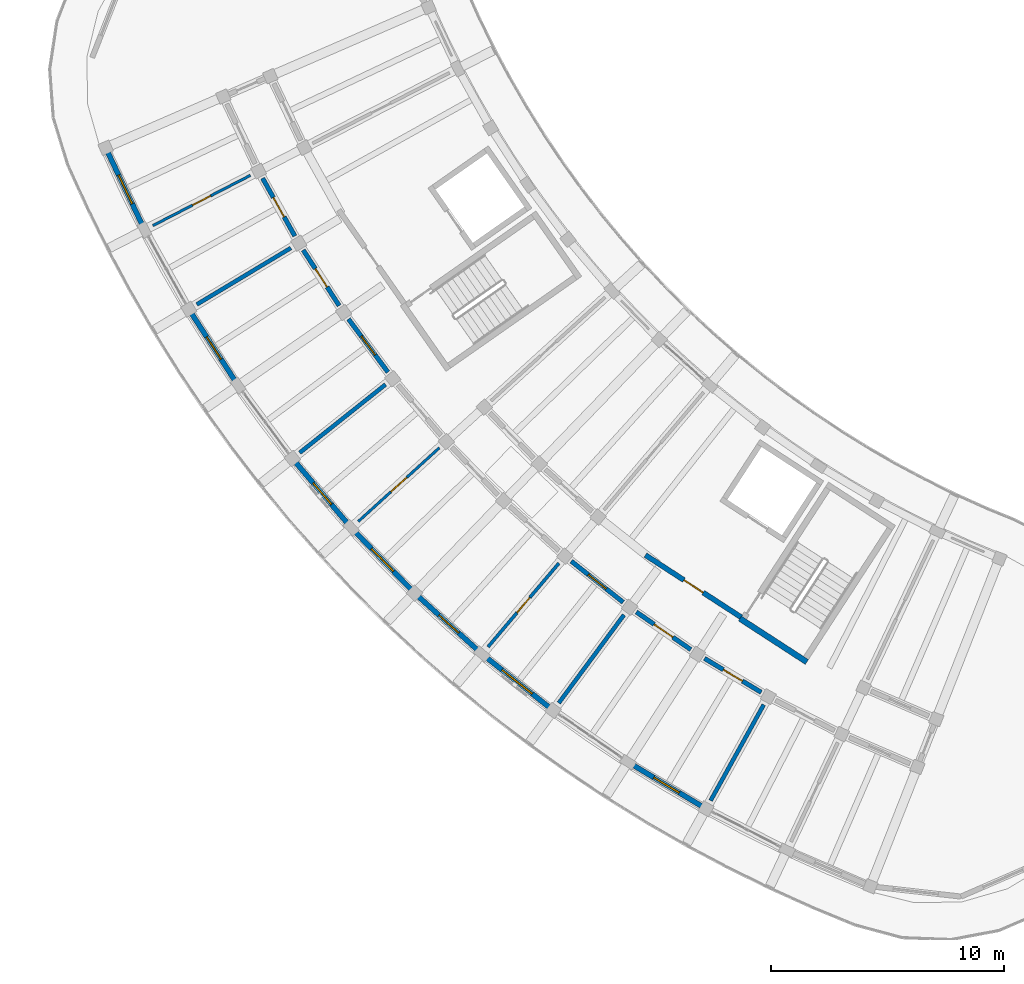
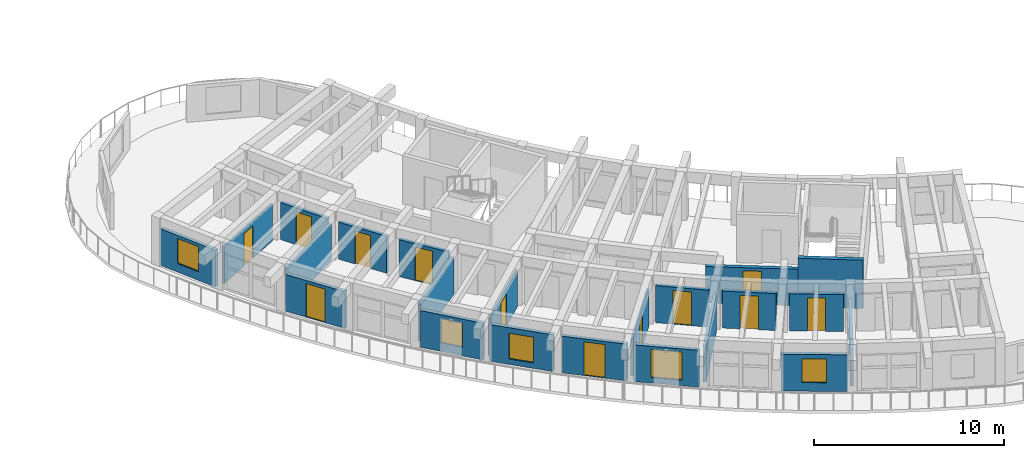
# One storey, part 33 of 62: 22 walls, 12 doors, 5 windows, 17 openings.
"""IFC4 building model written with IfcOpenShell, lengths in metres."""

from ifc_helpers import new_model, si_unit, direction, frame, frame_2d, origin, place, context, subcontext, project, spatial, rectangle, extrude, material, layer, layer_set, type_object, element, fill, save


model = new_model("IFC4")

# Units and contexts
model_context = context("Model", 3, precision=1e-05, world=origin(), true_north=direction((0.0, 1.0)))
body_context = subcontext(model_context, "Body", "Model", "MODEL_VIEW")
ifc_project = project(units=[si_unit("LENGTHUNIT", "METRE"), si_unit("AREAUNIT", "SQUARE_METRE"), si_unit("VOLUMEUNIT", "CUBIC_METRE"), si_unit("PLANEANGLEUNIT", "RADIAN"), si_unit("MASSUNIT", "GRAM", prefix="KILO")], contexts=[model_context])

# Site, building, storey
site_placement = place(None, origin())
site = spatial("IfcSite", under=ifc_project, at=site_placement, CompositionType="ELEMENT")
building_placement = place(site_placement, origin())
building = spatial("IfcBuilding", under=site, at=building_placement, Name="Tanwirah Colonnade Gardens", CompositionType="ELEMENT")
storey_placement = place(building_placement, frame((0.0, 0.0, 32.360107421875)))
storey = spatial("IfcBuildingStorey", under=building, at=storey_placement, Name="L09", CompositionType="ELEMENT", Elevation=32.360107421875)

# Wall, opening, window
ifc_material_1 = material(Name="Limestone architectural precast concrete C40/50", Category="masonry")
ifc_layer_1 = layer(ifc_material_1, 0.219970703125)
ifc_layer_set_1 = layer_set([ifc_layer_1], Name="Limestone architectural precast concrete C40/50")
wall_type_1 = type_object("IfcWallType", Name="EW-PC220", PredefinedType="SOLIDWALL", material=ifc_layer_set_1)
wall_1_placement = place(storey_placement, frame((10.485595703125, 40.55126953125, 0.0), z_axis=(0.0, 0.0, 1.0), x_axis=(0.428487304129, -0.903547801835, 0.0)))
wall_1 = element("IfcWall", 1, at=wall_1_placement, inside=storey, type_object=wall_type_1, Name="Block C L09 OUT Precast Facade Wall 2", PredefinedType="SOLIDWALL", context=body_context, shape_type="SweptSolid", body=[
    extrude(rectangle(XDim=3.5068359375, YDim=0.219970703125, at=frame_2d((1.75341796875, 0.0))), origin(), (0.0, 0.0, 1.0), 2.35498046875),
])
opening_1_placement = place(wall_1_placement, frame((1.073486328125, 0.0, 0.550048828125)))
opening_1 = element("IfcOpeningElement", 2, at=opening_1_placement, cuts=wall_1, Name="Opening WIN-U06", PredefinedType="OPENING", context=body_context, shape_type="SweptSolid", body=[
    extrude(rectangle(XDim=1.360107421875, YDim=1.610107421875, at=frame_2d((0.68017578125, 0.80517578125))), frame((0.0, 0.119873046875, 0.0), z_axis=(0.0, -1.0, 0.0), x_axis=(1.0, 0.0, 0.0)), (0.0, 0.0, 1.0), 0.239990234375),
])
ifc_material_2 = material(Name="Thermally broken bronze aluminium and solar low-E double glazing", Category="aluminium")
window_type_1 = type_object("IfcWindowType", Name="WIN-U06", PartitioningType="DOUBLE_PANEL_VERTICAL", PredefinedType="WINDOW", material=ifc_material_2)
window_1_placement = place(opening_1_placement, origin())
window_1 = element("IfcWindow", 3, at=window_1_placement, inside=storey, type_object=window_type_1, Name="Facade window C-L09-OUT-02", OverallHeight=1.610107421875, OverallWidth=1.360107421875, PartitioningType="SINGLE_PANEL", PredefinedType="WINDOW", context=body_context, shape_type="SweptSolid", body=[
    extrude(rectangle(XDim=1.360107421875, YDim=1.610107421875, at=frame_2d((0.68017578125, 0.80517578125))), frame((0.0, 0.030029296875, 0.0), z_axis=(0.0, -1.0, 0.0), x_axis=(1.0, 0.0, 0.0)), (0.0, 0.0, 1.0), 0.06005859375),
])
fill(opening_1, window_1)

# Wall, opening, door
wall_2_placement = place(storey_placement, frame((14.077880859375, 33.640625, 0.0), z_axis=(0.0, 0.0, 1.0), x_axis=(0.542803784415, -0.839859542796, 0.0)))
wall_2 = element("IfcWall", 4, at=wall_2_placement, inside=storey, type_object=wall_type_1, Name="Block C L09 OUT Precast Facade Wall 4", PredefinedType="SOLIDWALL", context=body_context, shape_type="SweptSolid", body=[
    extrude(rectangle(XDim=3.5068359375, YDim=0.219970703125, at=frame_2d((1.75341796875, 0.0))), origin(), (0.0, 0.0, 1.0), 2.35498046875),
])
opening_2_placement = place(wall_2_placement, frame((1.183349609375, 0.0, 0.0)))
opening_2 = element("IfcOpeningElement", 5, at=opening_2_placement, cuts=wall_2, Name="Opening L09-ED168", PredefinedType="OPENING", context=body_context, shape_type="SweptSolid", body=[
    extrude(rectangle(XDim=1.139892578125, YDim=2.159912109375, at=frame_2d((0.56982421875, 1.080078125))), frame((0.0, 0.119873046875, 0.0), z_axis=(0.0, -1.0, 0.0), x_axis=(1.0, 0.0, 0.0)), (0.0, 0.0, 1.0), 0.239990234375),
])
ifc_material_3 = material(Name="Bronze aluminium glazed balcony door", Category="aluminium")
door_type_1 = type_object("IfcDoorType", Name="ED-BAL114", OperationType="NOTDEFINED", PredefinedType="DOOR", material=ifc_material_3)
door_1_placement = place(opening_2_placement, origin())
door_1 = element("IfcDoor", 6, at=door_1_placement, inside=storey, type_object=door_type_1, Name="Balcony glazed door L09-ED168", OperationType="SINGLE_SWING_RIGHT", OverallHeight=2.159912109375, OverallWidth=1.139892578125, PredefinedType="DOOR", context=body_context, shape_type="SweptSolid", body=[
    extrude(rectangle(XDim=1.139892578125, YDim=2.159912109375, at=frame_2d((0.56982421875, 1.080078125))), frame((0.0, 0.02490234375, 0.0), z_axis=(0.0, -1.0, 0.0), x_axis=(1.0, 0.0, 0.0)), (0.0, 0.0, 1.0), 0.050048828125),
])
fill(opening_2, door_1)

# Wall, opening, window
wall_3_placement = place(storey_placement, frame((18.54150390625, 27.2578125, 0.0), z_axis=(0.0, 0.0, 1.0), x_axis=(0.647787845689, -0.761820784028, 0.0)))
wall_3 = element("IfcWall", 7, at=wall_3_placement, inside=storey, type_object=wall_type_1, Name="Block C L09 OUT Precast Facade Wall 6", PredefinedType="SOLIDWALL", context=body_context, shape_type="SweptSolid", body=[
    extrude(rectangle(XDim=3.5068359375, YDim=0.219970703125, at=frame_2d((1.75341796875, 0.0))), origin(), (0.0, 0.0, 1.0), 2.35498046875),
])
opening_3_placement = place(wall_3_placement, frame((1.1533203125, 0.0, 0.550048828125)))
opening_3 = element("IfcOpeningElement", 8, at=opening_3_placement, cuts=wall_3, Name="Opening WIN-T02", PredefinedType="OPENING", context=body_context, shape_type="SweptSolid", body=[
    extrude(rectangle(XDim=1.199951171875, YDim=1.550048828125, at=frame_2d((0.60009765625, 0.77490234375))), frame((0.0, 0.119873046875, 0.0), z_axis=(0.0, -1.0, 0.0), x_axis=(1.0, 0.0, 0.0)), (0.0, 0.0, 1.0), 0.239990234375),
])
window_type_2 = type_object("IfcWindowType", Name="WIN-T02", PartitioningType="SINGLE_PANEL", PredefinedType="WINDOW", material=ifc_material_2)
window_2_placement = place(opening_3_placement, origin())
window_2 = element("IfcWindow", 9, at=window_2_placement, inside=storey, type_object=window_type_2, Name="Facade window C-L09-OUT-06", OverallHeight=1.550048828125, OverallWidth=1.199951171875, PartitioningType="SINGLE_PANEL", PredefinedType="WINDOW", context=body_context, shape_type="SweptSolid", body=[
    extrude(rectangle(XDim=1.199951171875, YDim=1.550048828125, at=frame_2d((0.60009765625, 0.77490234375))), frame((0.0, 0.030029296875, 0.0), z_axis=(0.0, -1.0, 0.0), x_axis=(1.0, 0.0, 0.0)), (0.0, 0.0, 1.0), 0.06005859375),
])
fill(opening_3, window_2)

wall_4_placement = place(storey_placement, frame((21.034912109375, 24.342041015625, 0.0), z_axis=(0.0, 0.0, 1.0), x_axis=(0.696232818878, -0.717816036263, 0.0)))
wall_4 = element("IfcWall", 10, at=wall_4_placement, inside=storey, type_object=wall_type_1, Name="Block C L09 OUT Precast Facade Wall 7", PredefinedType="SOLIDWALL", context=body_context, shape_type="SweptSolid", body=[
    extrude(rectangle(XDim=3.506591796875, YDim=0.219970703125, at=frame_2d((1.75341796875, 0.0))), origin(), (0.0, 0.0, 1.0), 2.35498046875),
])
opening_4_placement = place(wall_4_placement, frame((1.078369140625, 0.0, 0.35009765625)))
opening_4 = element("IfcOpeningElement", 11, at=opening_4_placement, cuts=wall_4, Name="Opening WIN-T05", PredefinedType="OPENING", context=body_context, shape_type="SweptSolid", body=[
    extrude(rectangle(XDim=1.35009765625, YDim=1.64990234375, at=frame_2d((0.675048828125, 0.824951171875))), frame((0.0, 0.119873046875, 0.0), z_axis=(0.0, -1.0, 0.0), x_axis=(1.0, 0.0, 0.0)), (0.0, 0.0, 1.0), 0.239990234375),
])
window_type_3 = type_object("IfcWindowType", Name="WIN-T05", PartitioningType="DOUBLE_PANEL_VERTICAL", PredefinedType="WINDOW", material=ifc_material_2)
window_3_placement = place(opening_4_placement, origin())
window_3 = element("IfcWindow", 12, at=window_3_placement, inside=storey, type_object=window_type_3, Name="Facade window C-L09-OUT-07", OverallHeight=1.64990234375, OverallWidth=1.35009765625, PartitioningType="SINGLE_PANEL", PredefinedType="WINDOW", context=body_context, shape_type="SweptSolid", body=[
    extrude(rectangle(XDim=1.35009765625, YDim=1.64990234375, at=frame_2d((0.675048828125, 0.824951171875))), frame((0.0, 0.030029296875, 0.0), z_axis=(0.0, -1.0, 0.0), x_axis=(1.0, 0.0, 0.0)), (0.0, 0.0, 1.0), 0.06005859375),
])
fill(opening_4, window_3)

# Wall, opening, door
wall_5_placement = place(storey_placement, frame((23.800048828125, 21.512451171875, 0.0), z_axis=(0.0, 0.0, 1.0), x_axis=(0.741654519649, -0.670782061093, 0.0)))
wall_5 = element("IfcWall", 13, at=wall_5_placement, inside=storey, type_object=wall_type_1, Name="Block C L09 OUT Precast Facade Wall 8", PredefinedType="SOLIDWALL", context=body_context, shape_type="SweptSolid", body=[
    extrude(rectangle(XDim=3.5068359375, YDim=0.219970703125, at=frame_2d((1.75341796875, 0.0))), origin(), (0.0, 0.0, 1.0), 2.35498046875),
])
opening_5_placement = place(wall_5_placement, frame((1.183349609375, 0.0, 0.0)))
opening_5 = element("IfcOpeningElement", 14, at=opening_5_placement, cuts=wall_5, Name="Opening L09-ED169", PredefinedType="OPENING", context=body_context, shape_type="SweptSolid", body=[
    extrude(rectangle(XDim=1.139892578125, YDim=2.159912109375, at=frame_2d((0.56982421875, 1.080078125))), frame((0.0, 0.119873046875, 0.0), z_axis=(0.0, -1.0, 0.0), x_axis=(1.0, 0.0, 0.0)), (0.0, 0.0, 1.0), 0.239990234375),
])
door_2_placement = place(opening_5_placement, origin())
door_2 = element("IfcDoor", 15, at=door_2_placement, inside=storey, type_object=door_type_1, Name="Balcony glazed door L09-ED169", OperationType="SINGLE_SWING_RIGHT", OverallHeight=2.159912109375, OverallWidth=1.139892578125, PredefinedType="DOOR", context=body_context, shape_type="SweptSolid", body=[
    extrude(rectangle(XDim=1.139892578125, YDim=2.159912109375, at=frame_2d((0.56982421875, 1.080078125))), frame((0.0, 0.02490234375, 0.0), z_axis=(0.0, -1.0, 0.0), x_axis=(1.0, 0.0, 0.0)), (0.0, 0.0, 1.0), 0.050048828125),
])
fill(opening_5, door_2)

# Wall, opening, window
wall_6_placement = place(storey_placement, frame((26.652587890625, 18.947021484375, 0.0), z_axis=(0.0, 0.0, 1.0), x_axis=(0.783976646649, -0.620790316861, 0.0)))
wall_6 = element("IfcWall", 16, at=wall_6_placement, inside=storey, type_object=wall_type_1, Name="Block C L09 OUT Precast Facade Wall 9", PredefinedType="SOLIDWALL", context=body_context, shape_type="SweptSolid", body=[
    extrude(rectangle(XDim=3.5068359375, YDim=0.219970703125, at=frame_2d((1.75341796875, 0.0))), origin(), (0.0, 0.0, 1.0), 2.35498046875),
])
opening_6_placement = place(wall_6_placement, frame((0.928466796875, 0.0, 0.35009765625)))
opening_6 = element("IfcOpeningElement", 17, at=opening_6_placement, cuts=wall_6, Name="Opening WIN-T11", PredefinedType="OPENING", context=body_context, shape_type="SweptSolid", body=[
    extrude(rectangle(XDim=1.64990234375, YDim=1.800048828125, at=frame_2d((0.824951171875, 0.89990234375))), frame((0.0, 0.119873046875, 0.0), z_axis=(0.0, -1.0, 0.0), x_axis=(1.0, 0.0, 0.0)), (0.0, 0.0, 1.0), 0.239990234375),
])
window_type_4 = type_object("IfcWindowType", Name="WIN-T11", PartitioningType="DOUBLE_PANEL_VERTICAL", PredefinedType="WINDOW", material=ifc_material_2)
window_4_placement = place(opening_6_placement, origin())
window_4 = element("IfcWindow", 18, at=window_4_placement, inside=storey, type_object=window_type_4, Name="Facade window C-L09-OUT-09", OverallHeight=1.800048828125, OverallWidth=1.64990234375, PartitioningType="SINGLE_PANEL", PredefinedType="WINDOW", context=body_context, shape_type="SweptSolid", body=[
    extrude(rectangle(XDim=1.64990234375, YDim=1.800048828125, at=frame_2d((0.824951171875, 0.89990234375))), frame((0.0, 0.030029296875, 0.0), z_axis=(0.0, -1.0, 0.0), x_axis=(1.0, 0.0, 0.0)), (0.0, 0.0, 1.0), 0.06005859375),
])
fill(opening_6, window_4)

wall_7_placement = place(storey_placement, frame((32.926513671875, 14.33154296875, 0.0), z_axis=(0.0, 0.0, 1.0), x_axis=(0.858272027283, -0.513195018666, 0.0)))
wall_7 = element("IfcWall", 19, at=wall_7_placement, inside=storey, type_object=wall_type_1, Name="Block C L09 OUT Precast Facade Wall 11", PredefinedType="SOLIDWALL", context=body_context, shape_type="SweptSolid", body=[
    extrude(rectangle(XDim=3.507080078125, YDim=0.219970703125, at=frame_2d((1.75341796875, 0.0))), origin(), (0.0, 0.0, 1.0), 2.35498046875),
])
opening_7_placement = place(wall_7_placement, frame((1.11328125, 0.0, 0.550048828125)))
opening_7 = element("IfcOpeningElement", 20, at=opening_7_placement, cuts=wall_7, Name="Opening WIN-T17", PredefinedType="OPENING", context=body_context, shape_type="SweptSolid", body=[
    extrude(rectangle(XDim=1.280029296875, YDim=1.52001953125, at=frame_2d((0.64013671875, 0.760009765625))), frame((0.0, 0.119873046875, 0.0), z_axis=(0.0, -1.0, 0.0), x_axis=(1.0, 0.0, 0.0)), (0.0, 0.0, 1.0), 0.239990234375),
])
window_type_5 = type_object("IfcWindowType", Name="WIN-T17", PartitioningType="SINGLE_PANEL", PredefinedType="WINDOW", material=ifc_material_2)
window_5_placement = place(opening_7_placement, origin())
window_5 = element("IfcWindow", 21, at=window_5_placement, inside=storey, type_object=window_type_5, Name="Facade window C-L09-OUT-11", OverallHeight=1.52001953125, OverallWidth=1.280029296875, PartitioningType="SINGLE_PANEL", PredefinedType="WINDOW", context=body_context, shape_type="SweptSolid", body=[
    extrude(rectangle(XDim=1.280029296875, YDim=1.52001953125, at=frame_2d((0.64013671875, 0.760009765625))), frame((0.0, 0.030029296875, 0.0), z_axis=(0.0, -1.0, 0.0), x_axis=(1.0, 0.0, 0.0)), (0.0, 0.0, 1.0), 0.06005859375),
])
fill(opening_7, window_5)

# Wall, opening, door
ifc_material_4 = material(Name="Precast concrete C40/50", Category="concrete")
ifc_layer_2 = layer(ifc_material_4, 0.195068359375)
ifc_layer_set_2 = layer_set([ifc_layer_2], Name="Precast concrete C40/50")
wall_type_2 = type_object("IfcWallType", Name="IW-CORR195", PredefinedType="PARTITIONING", material=ifc_layer_set_2)
wall_8_placement = place(storey_placement, frame((17.118896484375, 39.4462890625, 0.0), z_axis=(0.0, 0.0, 1.0), x_axis=(0.48673124079, -0.8735517725, 0.0)))
wall_8 = element("IfcWall", 22, at=wall_8_placement, inside=storey, type_object=wall_type_2, Name="Block C L09 OUT Corridor Wall 3", PredefinedType="PARTITIONING", context=body_context, shape_type="SweptSolid", body=[
    extrude(rectangle(XDim=2.8369140625, YDim=0.195068359375, at=frame_2d((1.41845703125, 0.0))), origin(), (0.0, 0.0, 1.0), 2.369873046875),
])
opening_8_placement = place(wall_8_placement, frame((0.943603515625, 0.0, 0.0)))
opening_8 = element("IfcOpeningElement", 23, at=opening_8_placement, cuts=wall_8, Name="Opening L09-AD1606", PredefinedType="OPENING", context=body_context, shape_type="SweptSolid", body=[
    extrude(rectangle(XDim=0.949951171875, YDim=2.1298828125, at=frame_2d((0.47509765625, 1.06494140625))), frame((0.0, 0.107421875, 0.0), z_axis=(0.0, -1.0, 0.0), x_axis=(1.0, 0.0, 0.0)), (0.0, 0.0, 1.0), 0.215087890625),
])
ifc_material_5 = material(Name="Solid oak fire-resisting apartment entrance door")
door_type_2 = type_object("IfcDoorType", Name="ID-FLT095", OperationType="NOTDEFINED", PredefinedType="DOOR", material=ifc_material_5)
door_3_placement = place(opening_8_placement, origin())
door_3 = element("IfcDoor", 24, at=door_3_placement, inside=storey, type_object=door_type_2, Name="Apartment corridor door L09-AD1606", OperationType="SINGLE_SWING_LEFT", OverallHeight=2.1298828125, OverallWidth=0.949951171875, PredefinedType="DOOR", context=body_context, shape_type="SweptSolid", body=[
    extrude(rectangle(XDim=0.949951171875, YDim=2.1298828125, at=frame_2d((0.47509765625, 1.06494140625))), frame((0.0, 0.02490234375, 0.0), z_axis=(0.0, -1.0, 0.0), x_axis=(1.0, 0.0, 0.0)), (0.0, 0.0, 1.0), 0.050048828125),
])
fill(opening_8, door_3)

wall_9_placement = place(storey_placement, frame((18.860107421875, 36.3681640625, 0.0), z_axis=(0.0, 0.0, 1.0), x_axis=(0.542787304957, -0.83987019329, 0.0)))
wall_9 = element("IfcWall", 25, at=wall_9_placement, inside=storey, type_object=wall_type_2, Name="Block C L09 OUT Corridor Wall 4", PredefinedType="PARTITIONING", context=body_context, shape_type="SweptSolid", body=[
    extrude(rectangle(XDim=2.8369140625, YDim=0.195068359375, at=frame_2d((1.41845703125, 0.0))), origin(), (0.0, 0.0, 1.0), 2.369873046875),
])
opening_9_placement = place(wall_9_placement, frame((0.95361328125, 0.0, 0.0)))
opening_9 = element("IfcOpeningElement", 26, at=opening_9_placement, cuts=wall_9, Name="Opening L09-AD1607", PredefinedType="OPENING", context=body_context, shape_type="SweptSolid", body=[
    extrude(rectangle(XDim=0.929931640625, YDim=2.1201171875, at=frame_2d((0.46484375, 1.06005859375))), frame((0.0, 0.107421875, 0.0), z_axis=(0.0, -1.0, 0.0), x_axis=(1.0, 0.0, 0.0)), (0.0, 0.0, 1.0), 0.215087890625),
])
door_type_3 = type_object("IfcDoorType", Name="ID-FLT093", OperationType="NOTDEFINED", PredefinedType="DOOR", material=ifc_material_5)
door_4_placement = place(opening_9_placement, origin())
door_4 = element("IfcDoor", 27, at=door_4_placement, inside=storey, type_object=door_type_3, Name="Apartment corridor door L09-AD1607", OperationType="SINGLE_SWING_RIGHT", OverallHeight=2.1201171875, OverallWidth=0.929931640625, PredefinedType="DOOR", context=body_context, shape_type="SweptSolid", body=[
    extrude(rectangle(XDim=0.929931640625, YDim=2.1201171875, at=frame_2d((0.46484375, 1.06005859375))), frame((0.0, 0.02490234375, 0.0), z_axis=(0.0, -1.0, 0.0), x_axis=(1.0, 0.0, 0.0)), (0.0, 0.0, 1.0), 0.050048828125),
])
fill(opening_9, door_4)

wall_10_placement = place(storey_placement, frame((20.798828125, 33.410888671875, 0.0), z_axis=(0.0, 0.0, 1.0), x_axis=(0.596552136601, -0.802574325727, 0.0)))
wall_10 = element("IfcWall", 28, at=wall_10_placement, inside=storey, type_object=wall_type_2, Name="Block C L09 OUT Corridor Wall 5", PredefinedType="PARTITIONING", context=body_context, shape_type="SweptSolid", body=[
    extrude(rectangle(XDim=2.8369140625, YDim=0.195068359375, at=frame_2d((1.41845703125, 0.0))), origin(), (0.0, 0.0, 1.0), 2.369873046875),
])
opening_10_placement = place(wall_10_placement, frame((0.923583984375, 0.0, 0.0)))
opening_10 = element("IfcOpeningElement", 29, at=opening_10_placement, cuts=wall_10, Name="Opening L09-AD1608", PredefinedType="OPENING", context=body_context, shape_type="SweptSolid", body=[
    extrude(rectangle(XDim=0.989990234375, YDim=2.159912109375, at=frame_2d((0.4951171875, 1.080078125))), frame((0.0, 0.107421875, 0.0), z_axis=(0.0, -1.0, 0.0), x_axis=(1.0, 0.0, 0.0)), (0.0, 0.0, 1.0), 0.215087890625),
])
door_type_4 = type_object("IfcDoorType", Name="ID-FLT099", OperationType="NOTDEFINED", PredefinedType="DOOR", material=ifc_material_5)
door_5_placement = place(opening_10_placement, origin())
door_5 = element("IfcDoor", 30, at=door_5_placement, inside=storey, type_object=door_type_4, Name="Apartment corridor door L09-AD1608", OperationType="SINGLE_SWING_LEFT", OverallHeight=2.159912109375, OverallWidth=0.989990234375, PredefinedType="DOOR", context=body_context, shape_type="SweptSolid", body=[
    extrude(rectangle(XDim=0.989990234375, YDim=2.159912109375, at=frame_2d((0.4951171875, 1.080078125))), frame((0.0, 0.02490234375, 0.0), z_axis=(0.0, -1.0, 0.0), x_axis=(1.0, 0.0, 0.0)), (0.0, 0.0, 1.0), 0.050048828125),
])
fill(opening_10, door_5)

wall_11_placement = place(storey_placement, frame((30.351318359375, 23.030029296875, 0.0), z_axis=(0.0, 0.0, 1.0), x_axis=(0.783965548427, -0.620804332201, 0.0)))
wall_11 = element("IfcWall", 31, at=wall_11_placement, inside=storey, type_object=wall_type_2, Name="Block C L09 OUT Corridor Wall 9", PredefinedType="PARTITIONING", context=body_context, shape_type="SweptSolid", body=[
    extrude(rectangle(XDim=2.8369140625, YDim=0.195068359375, at=frame_2d((1.41845703125, 0.0))), origin(), (0.0, 0.0, 1.0), 2.369873046875),
])
opening_11_placement = place(wall_11_placement, frame((0.923583984375, 0.0, 0.0)))
opening_11 = element("IfcOpeningElement", 32, at=opening_11_placement, cuts=wall_11, Name="Opening L09-AD1618", PredefinedType="OPENING", context=body_context, shape_type="SweptSolid", body=[
    extrude(rectangle(XDim=0.989990234375, YDim=2.159912109375, at=frame_2d((0.4951171875, 1.080078125))), frame((0.0, 0.107421875, 0.0), z_axis=(0.0, -1.0, 0.0), x_axis=(1.0, 0.0, 0.0)), (0.0, 0.0, 1.0), 0.215087890625),
])
door_6_placement = place(opening_11_placement, origin())
door_6 = element("IfcDoor", 33, at=door_6_placement, inside=storey, type_object=door_type_4, Name="Apartment corridor door L09-AD1618", OperationType="SINGLE_SWING_LEFT", OverallHeight=2.159912109375, OverallWidth=0.989990234375, PredefinedType="DOOR", context=body_context, shape_type="SweptSolid", body=[
    extrude(rectangle(XDim=0.989990234375, YDim=2.159912109375, at=frame_2d((0.4951171875, 1.080078125))), frame((0.0, 0.02490234375, 0.0), z_axis=(0.0, -1.0, 0.0), x_axis=(1.0, 0.0, 0.0)), (0.0, 0.0, 1.0), 0.050048828125),
])
fill(opening_11, door_6)

wall_12_placement = place(storey_placement, frame((33.137939453125, 20.852783203125, 0.0), z_axis=(0.0, 0.0, 1.0), x_axis=(0.822870075235, -0.568229565653, 0.0)))
wall_12 = element("IfcWall", 34, at=wall_12_placement, inside=storey, type_object=wall_type_2, Name="Block C L09 OUT Corridor Wall 10", PredefinedType="PARTITIONING", context=body_context, shape_type="SweptSolid", body=[
    extrude(rectangle(XDim=2.8369140625, YDim=0.195068359375, at=frame_2d((1.41845703125, 0.0))), origin(), (0.0, 0.0, 1.0), 2.369873046875),
])
opening_12_placement = place(wall_12_placement, frame((0.93359375, 0.0, 0.0)))
opening_12 = element("IfcOpeningElement", 35, at=opening_12_placement, cuts=wall_12, Name="Opening L09-AD1619", PredefinedType="OPENING", context=body_context, shape_type="SweptSolid", body=[
    extrude(rectangle(XDim=0.969970703125, YDim=2.14990234375, at=frame_2d((0.48486328125, 1.074951171875))), frame((0.0, 0.107421875, 0.0), z_axis=(0.0, -1.0, 0.0), x_axis=(1.0, 0.0, 0.0)), (0.0, 0.0, 1.0), 0.215087890625),
])
door_type_5 = type_object("IfcDoorType", Name="ID-FLT097", OperationType="NOTDEFINED", PredefinedType="DOOR", material=ifc_material_5)
door_7_placement = place(opening_12_placement, origin())
door_7 = element("IfcDoor", 36, at=door_7_placement, inside=storey, type_object=door_type_5, Name="Apartment corridor door L09-AD1619", OperationType="SINGLE_SWING_RIGHT", OverallHeight=2.14990234375, OverallWidth=0.969970703125, PredefinedType="DOOR", context=body_context, shape_type="SweptSolid", body=[
    extrude(rectangle(XDim=0.969970703125, YDim=2.14990234375, at=frame_2d((0.48486328125, 1.074951171875))), frame((0.0, 0.02490234375, 0.0), z_axis=(0.0, -1.0, 0.0), x_axis=(1.0, 0.0, 0.0)), (0.0, 0.0, 1.0), 0.050048828125),
])
fill(opening_12, door_7)

wall_13_placement = place(storey_placement, frame((36.060791015625, 18.8623046875, 0.0), z_axis=(0.0, 0.0, 1.0), x_axis=(0.858281647443, -0.51317892948, 0.0)))
wall_13 = element("IfcWall", 37, at=wall_13_placement, inside=storey, type_object=wall_type_2, Name="Block C L09 OUT Corridor Wall 11", PredefinedType="PARTITIONING", context=body_context, shape_type="SweptSolid", body=[
    extrude(rectangle(XDim=2.8369140625, YDim=0.195068359375, at=frame_2d((1.41845703125, 0.0))), origin(), (0.0, 0.0, 1.0), 2.369873046875),
])
opening_13_placement = place(wall_13_placement, frame((0.943603515625, 0.0, 0.0)))
opening_13 = element("IfcOpeningElement", 38, at=opening_13_placement, cuts=wall_13, Name="Opening L09-AD1620", PredefinedType="OPENING", context=body_context, shape_type="SweptSolid", body=[
    extrude(rectangle(XDim=0.949951171875, YDim=2.1298828125, at=frame_2d((0.47509765625, 1.06494140625))), frame((0.0, 0.107421875, 0.0), z_axis=(0.0, -1.0, 0.0), x_axis=(1.0, 0.0, 0.0)), (0.0, 0.0, 1.0), 0.215087890625),
])
door_8_placement = place(opening_13_placement, origin())
door_8 = element("IfcDoor", 39, at=door_8_placement, inside=storey, type_object=door_type_2, Name="Apartment corridor door L09-AD1620", OperationType="SINGLE_SWING_LEFT", OverallHeight=2.1298828125, OverallWidth=0.949951171875, PredefinedType="DOOR", context=body_context, shape_type="SweptSolid", body=[
    extrude(rectangle(XDim=0.949951171875, YDim=2.1298828125, at=frame_2d((0.47509765625, 1.06494140625))), frame((0.0, 0.02490234375, 0.0), z_axis=(0.0, -1.0, 0.0), x_axis=(1.0, 0.0, 0.0)), (0.0, 0.0, 1.0), 0.050048828125),
])
fill(opening_13, door_8)

# Walls
ifc_layer_3 = layer(ifc_material_4, 0.175048828125)
ifc_layer_set_3 = layer_set([ifc_layer_3], Name="Precast concrete C40/50")
wall_type_3 = type_object("IfcWallType", Name="IW-DEM175", PredefinedType="PARTITIONING", material=ifc_layer_set_3)
for number, where, z_axis, x_axis, name in (
    (40, (18.3271484375, 36.456298828125, 0.0), (0.0, 0.0, 1.0), (-0.857139805444, -0.515083831937, 0.0), "Block C L09 Radial Partition 3"),
    (41, (22.386962890625, 30.60400390625, 0.0), (0.0, 0.0, 1.0), (-0.782609106384, -0.622513442911, 0.0), "Block C L09 Radial Partition 5"),
    (42, (32.61181640625, 20.72998046875, 0.0), (0.0, 0.0, 1.0), (-0.59482622273, -0.803854318116, 0.0), "Block C L09 Radial Partition 9"),
    (43, (38.60205078125, 16.876953125, 0.0), (0.0, 0.0, 1.0), (-0.484813534336, -0.874617537513, 0.0), "Block C L09 Radial Partition 11"),
):
    element("IfcWall", number, at=place(storey_placement, frame(where, z_axis=z_axis, x_axis=x_axis)), inside=storey, type_object=wall_type_3, Name=name, PredefinedType="PARTITIONING", context=body_context, shape_type="SweptSolid", body=[
        extrude(rectangle(XDim=4.699951171875, YDim=0.175048828125, at=frame_2d((2.35009765625, 0.0))), origin(), (0.0, 0.0, 1.0), 2.369873046875),
    ])

# Wall, opening, door
ifc_material_6 = material(Name="Autoclaved aerated masonry blockwork", Category="masonry")
ifc_layer_4 = layer(ifc_material_6, 0.219970703125)
ifc_layer_set_4 = layer_set([ifc_layer_4], Name="Autoclaved aerated masonry blockwork")
wall_type_4 = type_object("IfcWallType", Name="IW-FFL220", PredefinedType="PARTITIONING", material=ifc_layer_set_4)
wall_14_placement = place(storey_placement, frame((37.638916015625, 20.623291015625, 0.0), z_axis=(0.0, 0.0, 1.0), x_axis=(-0.838681446513, 0.544622283124, 0.0)))
wall_14 = element("IfcWall", 44, at=wall_14_placement, inside=storey, type_object=wall_type_4, Name="CORE-C2 L09 Enclosed Lobby Fire Wall", PredefinedType="PARTITIONING", context=body_context, shape_type="SweptSolid", body=[
    extrude(rectangle(XDim=4.900146484375, YDim=0.219970703125, at=frame_2d((2.4501953125, 0.0))), origin(), (0.0, 0.0, 1.0), 2.33984375),
])
opening_14_placement = place(wall_14_placement, frame((1.949951171875, 0.0, 0.0)))
opening_14 = element("IfcOpeningElement", 45, at=opening_14_placement, cuts=wall_14, Name="Opening L09-LD167", PredefinedType="OPENING", context=body_context, shape_type="SweptSolid", body=[
    extrude(rectangle(XDim=0.97998046875, YDim=2.139892578125, at=frame_2d((0.489990234375, 1.06982421875))), frame((0.0, 0.119873046875, 0.0), z_axis=(0.0, -1.0, 0.0), x_axis=(1.0, 0.0, 0.0)), (0.0, 0.0, 1.0), 0.239990234375),
])
ifc_material_7 = material(Name="Acoustic fire-resisting lobby door")
door_type_6 = type_object("IfcDoorType", Name="ID-FFL098", OperationType="NOTDEFINED", PredefinedType="DOOR", material=ifc_material_7)
door_9_placement = place(opening_14_placement, origin())
door_9 = element("IfcDoor", 46, at=door_9_placement, inside=storey, type_object=door_type_6, Name="CORE-C2 L09 Lobby Fire Door L09-LD167", OperationType="SINGLE_SWING_RIGHT", OverallHeight=2.139892578125, OverallWidth=0.97998046875, PredefinedType="DOOR", context=body_context, shape_type="SweptSolid", body=[
    extrude(rectangle(XDim=0.97998046875, YDim=2.139892578125, at=frame_2d((0.489990234375, 1.06982421875))), frame((0.0, 0.02490234375, 0.0), z_axis=(0.0, -1.0, 0.0), x_axis=(1.0, 0.0, 0.0)), (0.0, 0.0, 1.0), 0.050048828125),
])
fill(opening_14, door_9)

ifc_material_8 = material(Name="Acoustic gypsum stud partition")
ifc_layer_5 = layer(ifc_material_8, 0.114990234375)
ifc_layer_set_5 = layer_set([ifc_layer_5], Name="Acoustic gypsum stud partition")
wall_type_5 = type_object("IfcWallType", Name="IW-INT115", PredefinedType="PARTITIONING", material=ifc_layer_set_5)
wall_15_placement = place(storey_placement, frame((16.593017578125, 39.56884765625, 0.0), z_axis=(0.0, 0.0, 1.0), x_axis=(-0.889013002038, -0.457881952262, 0.0)))
wall_15 = element("IfcWall", 47, at=wall_15_placement, inside=storey, type_object=wall_type_5, Name="Block C L09 Radial Partition 2", PredefinedType="PARTITIONING", context=body_context, shape_type="SweptSolid", body=[
    extrude(rectangle(XDim=4.7001953125, YDim=0.114990234375, at=frame_2d((2.35009765625, 0.0))), origin(), (0.0, 0.0, 1.0), 2.369873046875),
])
opening_15_placement = place(wall_15_placement, frame((1.9150390625, 0.0, 0.0)))
opening_15 = element("IfcOpeningElement", 48, at=opening_15_placement, cuts=wall_15, Name="Opening L09-RD1604", PredefinedType="OPENING", context=body_context, shape_type="SweptSolid", body=[
    extrude(rectangle(XDim=0.8701171875, YDim=2.080078125, at=frame_2d((0.43505859375, 1.0400390625))), frame((0.0, 0.0673828125, 0.0), z_axis=(0.0, -1.0, 0.0), x_axis=(1.0, 0.0, 0.0)), (0.0, 0.0, 1.0), 0.135009765625),
])
ifc_material_9 = material(Name="Painted hardwood study door", Category="wood")
door_type_7 = type_object("IfcDoorType", Name="ID-RM087", OperationType="NOTDEFINED", PredefinedType="DOOR", material=ifc_material_9)
door_10_placement = place(opening_15_placement, origin())
door_10 = element("IfcDoor", 49, at=door_10_placement, inside=storey, type_object=door_type_7, Name="Internal apartment door L09-RD1604", OperationType="SINGLE_SWING_RIGHT", OverallHeight=2.080078125, OverallWidth=0.8701171875, PredefinedType="DOOR", context=body_context, shape_type="SweptSolid", body=[
    extrude(rectangle(XDim=0.8701171875, YDim=2.080078125, at=frame_2d((0.43505859375, 1.0400390625))), frame((0.0, 0.02490234375, 0.0), z_axis=(0.0, -1.0, 0.0), x_axis=(1.0, 0.0, 0.0)), (0.0, 0.0, 1.0), 0.050048828125),
])
fill(opening_15, door_10)

wall_16_placement = place(storey_placement, frame((24.695068359375, 27.8896484375, 0.0), z_axis=(0.0, 0.0, 1.0), x_axis=(-0.740212663782, -0.672372822456, 0.0)))
wall_16 = element("IfcWall", 50, at=wall_16_placement, inside=storey, type_object=wall_type_5, Name="Block C L09 Radial Partition 6", PredefinedType="PARTITIONING", context=body_context, shape_type="SweptSolid", body=[
    extrude(rectangle(XDim=4.699951171875, YDim=0.114990234375, at=frame_2d((2.35009765625, 0.0))), origin(), (0.0, 0.0, 1.0), 2.369873046875),
])
opening_16_placement = place(wall_16_placement, frame((1.89501953125, 0.0, 0.0)))
opening_16 = element("IfcOpeningElement", 51, at=opening_16_placement, cuts=wall_16, Name="Opening L09-RD1610", PredefinedType="OPENING", context=body_context, shape_type="SweptSolid", body=[
    extrude(rectangle(XDim=0.909912109375, YDim=2.10009765625, at=frame_2d((0.455078125, 1.050048828125))), frame((0.0, 0.0673828125, 0.0), z_axis=(0.0, -1.0, 0.0), x_axis=(1.0, 0.0, 0.0)), (0.0, 0.0, 1.0), 0.135009765625),
])
ifc_material_10 = material(Name="Painted hardwood internal room door", Category="wood")
door_type_8 = type_object("IfcDoorType", Name="ID-RM091", OperationType="NOTDEFINED", PredefinedType="DOOR", material=ifc_material_10)
door_11_placement = place(opening_16_placement, origin())
door_11 = element("IfcDoor", 52, at=door_11_placement, inside=storey, type_object=door_type_8, Name="Internal apartment door L09-RD1610", OperationType="SINGLE_SWING_RIGHT", OverallHeight=2.10009765625, OverallWidth=0.909912109375, PredefinedType="DOOR", context=body_context, shape_type="SweptSolid", body=[
    extrude(rectangle(XDim=0.909912109375, YDim=2.10009765625, at=frame_2d((0.455078125, 1.050048828125))), frame((0.0, 0.02490234375, 0.0), z_axis=(0.0, -1.0, 0.0), x_axis=(1.0, 0.0, 0.0)), (0.0, 0.0, 1.0), 0.050048828125),
])
fill(opening_16, door_11)

ifc_material_11 = material(Name="Water-resistant acoustic plumbing partition")
ifc_layer_6 = layer(ifc_material_11, 0.139892578125)
ifc_layer_set_6 = layer_set([ifc_layer_6], Name="Water-resistant acoustic plumbing partition")
wall_type_6 = type_object("IfcWallType", Name="IW-WET140", PredefinedType="PLUMBINGWALL", material=ifc_layer_set_6)
wall_17_placement = place(storey_placement, frame((29.818603515625, 22.94189453125, 0.0), z_axis=(0.0, 0.0, 1.0), x_axis=(-0.646137818229, -0.76322075434, 0.0)))
wall_17 = element("IfcWall", 53, at=wall_17_placement, inside=storey, type_object=wall_type_6, Name="Block C L09 Radial Partition 8", PredefinedType="PLUMBINGWALL", context=body_context, shape_type="SweptSolid", body=[
    extrude(rectangle(XDim=4.699951171875, YDim=0.139892578125, at=frame_2d((2.35009765625, 0.0))), origin(), (0.0, 0.0, 1.0), 2.369873046875),
])
opening_17_placement = place(wall_17_placement, frame((1.925048828125, 0.0, 0.0)))
opening_17 = element("IfcOpeningElement", 54, at=opening_17_placement, cuts=wall_17, Name="Opening L09-RD1616", PredefinedType="OPENING", context=body_context, shape_type="SweptSolid", body=[
    extrude(rectangle(XDim=0.85009765625, YDim=2.050048828125, at=frame_2d((0.425048828125, 1.02490234375))), frame((0.0, 0.079833984375, 0.0), z_axis=(0.0, -1.0, 0.0), x_axis=(1.0, 0.0, 0.0)), (0.0, 0.0, 1.0), 0.159912109375),
])
ifc_material_12 = material(Name="Moisture-resistant en-suite door")
door_type_9 = type_object("IfcDoorType", Name="ID-WET085", OperationType="NOTDEFINED", PredefinedType="DOOR", material=ifc_material_12)
door_12_placement = place(opening_17_placement, origin())
door_12 = element("IfcDoor", 55, at=door_12_placement, inside=storey, type_object=door_type_9, Name="Internal apartment door L09-RD1616", OperationType="SINGLE_SWING_RIGHT", OverallHeight=2.050048828125, OverallWidth=0.85009765625, PredefinedType="DOOR", context=body_context, shape_type="SweptSolid", body=[
    extrude(rectangle(XDim=0.85009765625, YDim=2.050048828125, at=frame_2d((0.425048828125, 1.02490234375))), frame((0.0, 0.02490234375, 0.0), z_axis=(0.0, -1.0, 0.0), x_axis=(1.0, 0.0, 0.0)), (0.0, 0.0, 1.0), 0.050048828125),
])
fill(opening_17, door_12)

# Wall
ifc_material_13 = material(Name="Concrete C45/55", Category="concrete")
ifc_layer_7 = layer(ifc_material_13, 0.25)
ifc_layer_set_7 = layer_set([ifc_layer_7], Name="Concrete C45/55")
wall_type_7 = type_object("IfcWallType", Name="SW-CORE250", PredefinedType="SHEAR", material=ifc_layer_set_7)
wall_18_placement = place(storey_placement, frame((40.449462890625, 18.708740234375, 0.0), z_axis=(0.0, 0.0, 1.0), x_axis=(-0.838678407117, 0.544626963559, 0.0)))
element("IfcWall", 56, at=wall_18_placement, inside=storey, type_object=wall_type_7, Name="CORE-C2 L09 Stair Shaft Shear Wall NEAR", PredefinedType="SHEAR", context=body_context, shape_type="SweptSolid", body=[
    extrude(rectangle(XDim=3.419921875, YDim=0.25, at=frame_2d((1.7099609375, 0.0))), origin(), (0.0, 0.0, 1.0), 3.10986328125),
])

save(model, "model.ifc")
